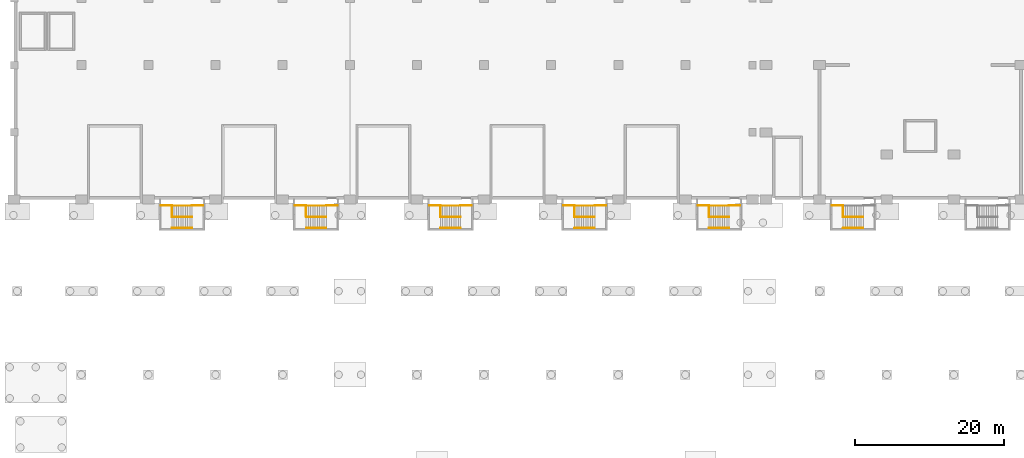
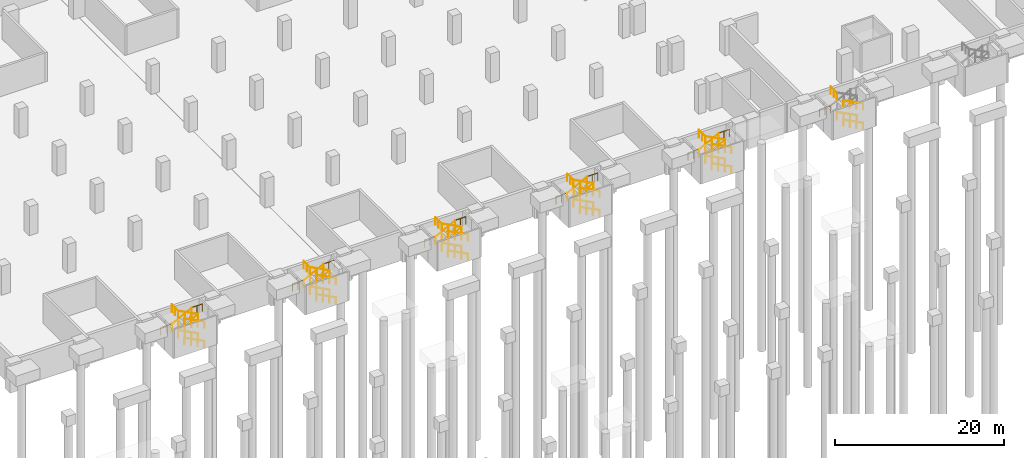
# One storey, part 23 of 27: 50 railings.
"""IFC4 building model written with IfcOpenShell, lengths in metres."""

from ifc_helpers import new_model, si_unit, direction, frame, origin, origin_2d, place, context, subcontext, project, spatial, circle, extrude, material, type_object, element, save


model = new_model("IFC4")

# Units and contexts
model_context = context("Model", 3, precision=1e-05, world=origin(), true_north=direction((0.0, 1.0)))
body_context = subcontext(model_context, "Body", "Model", "MODEL_VIEW")
ifc_project = project(units=[si_unit("LENGTHUNIT", "METRE"), si_unit("AREAUNIT", "SQUARE_METRE"), si_unit("VOLUMEUNIT", "CUBIC_METRE"), si_unit("PLANEANGLEUNIT", "RADIAN"), si_unit("MASSUNIT", "GRAM", prefix="KILO")], contexts=[model_context])

# Site, building, storey
site_placement = place(None, origin())
site = spatial("IfcSite", under=ifc_project, at=site_placement, CompositionType="ELEMENT")
building_placement = place(site_placement, origin())
building = spatial("IfcBuilding", under=site, at=building_placement, Name="Aravalli Gate Trade Fair Centre", CompositionType="ELEMENT")
storey_placement = place(building_placement, frame((0.0, 0.0, -4.199951171875)))
storey = spatial("IfcBuildingStorey", under=building, at=storey_placement, Name="B1", CompositionType="ELEMENT", Elevation=-4.199951171875)

# Railings
ifc_material = material(Name="Steel E350", Category="steel")
railing_type_1 = type_object("IfcRailingType", Name="Basement stair guard 1100", PredefinedType="GUARDRAIL", material=ifc_material)
railing_1_placement = place(storey_placement, frame((29.85009765625, 43.64990234375, 0.0)))
element("IfcRailing", 1, at=railing_1_placement, inside=storey, type_object=railing_type_1, Name="Basement stair S1 guard A B1", PredefinedType="GUARDRAIL", context=body_context, shape_type="SweptSolid", body=[
    extrude(circle(Radius=0.02392578125, at=origin_2d()), frame((0.0, 0.0, 1.076171875), z_axis=(-0.887781257544, 0.0, 0.460265617609), x_axis=(0.0, -1.0, 0.0)), (0.0, 0.0, 1.0), 3.04150390625),
    extrude(circle(Radius=0.02099609375, at=origin_2d()), origin(), (0.0, 0.0, 1.0), 1.052001953125),
    extrude(circle(Radius=0.02099609375, at=origin_2d()), frame((-0.900146484375, 0.0, 0.466552734375)), (0.0, 0.0, 1.0), 1.052001953125),
    extrude(circle(Radius=0.02099609375, at=origin_2d()), frame((-1.800048828125, 0.0, 0.933349609375)), (0.0, 0.0, 1.0), 1.052001953125),
    extrude(circle(Radius=0.02099609375, at=origin_2d()), frame((-2.7001953125, 0.0, 1.39990234375)), (0.0, 0.0, 1.0), 1.052001953125),
])
railing_2_placement = place(storey_placement, frame((27.14990234375, 43.64990234375, 1.39990234375)))
element("IfcRailing", 2, at=railing_2_placement, inside=storey, type_object=railing_type_1, Name="Basement stair S1 guard B B1", PredefinedType="GUARDRAIL", context=body_context, shape_type="SweptSolid", body=[
    extrude(circle(Radius=0.02392578125, at=origin_2d()), frame((0.0, 0.0, 1.076171875), z_axis=(0.887748457143, 0.0, 0.460328878998), x_axis=(0.0, 1.0, 0.0)), (0.0, 0.0, 1.0), 3.04150390625),
    extrude(circle(Radius=0.02099609375, at=origin_2d()), origin(), (0.0, 0.0, 1.0), 1.052001953125),
    extrude(circle(Radius=0.02099609375, at=origin_2d()), frame((0.900146484375, 0.0, 0.466796875)), (0.0, 0.0, 1.0), 1.052001953125),
    extrude(circle(Radius=0.02099609375, at=origin_2d()), frame((1.800048828125, 0.0, 0.933349609375)), (0.0, 0.0, 1.0), 1.052001953125),
    extrude(circle(Radius=0.02099609375, at=origin_2d()), frame((2.7001953125, 0.0, 1.400146484375)), (0.0, 0.0, 1.0), 1.052001953125),
])
railing_3_placement = place(storey_placement, frame((29.85009765625, 43.64990234375, 2.800048828125)))
element("IfcRailing", 3, at=railing_3_placement, inside=storey, type_object=railing_type_1, Name="Basement stair S1 guard C B1", PredefinedType="GUARDRAIL", context=body_context, shape_type="SweptSolid", body=[
    extrude(circle(Radius=0.02392578125, at=origin_2d()), frame((0.0, 0.0, 1.076171875), z_axis=(-0.887781257544, 0.0, 0.460265617609), x_axis=(0.0, -1.0, 0.0)), (0.0, 0.0, 1.0), 3.04150390625),
    extrude(circle(Radius=0.02099609375, at=origin_2d()), origin(), (0.0, 0.0, 1.0), 1.052001953125),
    extrude(circle(Radius=0.02099609375, at=origin_2d()), frame((-0.900146484375, 0.0, 0.466552734375)), (0.0, 0.0, 1.0), 1.052001953125),
    extrude(circle(Radius=0.02099609375, at=origin_2d()), frame((-1.800048828125, 0.0, 0.933349609375)), (0.0, 0.0, 1.0), 1.052001953125),
    extrude(circle(Radius=0.02099609375, at=origin_2d()), frame((-2.7001953125, 0.0, 1.39990234375)), (0.0, 0.0, 1.0), 1.052001953125),
])
railing_4_placement = place(storey_placement, frame((27.14990234375, 45.14990234375, 1.39990234375)))
element("IfcRailing", 4, at=railing_4_placement, inside=storey, type_object=railing_type_1, Name="Basement stair S1 guard B B1", PredefinedType="GUARDRAIL", context=body_context, shape_type="SweptSolid", body=[
    extrude(circle(Radius=0.02392578125, at=origin_2d()), frame((0.0, 0.0, 1.076171875), z_axis=(0.887748457143, 0.0, 0.460328878998), x_axis=(0.0, 1.0, 0.0)), (0.0, 0.0, 1.0), 3.04150390625),
    extrude(circle(Radius=0.02099609375, at=origin_2d()), origin(), (0.0, 0.0, 1.0), 1.052001953125),
    extrude(circle(Radius=0.02099609375, at=origin_2d()), frame((0.900146484375, 0.0, 0.466796875)), (0.0, 0.0, 1.0), 1.052001953125),
    extrude(circle(Radius=0.02099609375, at=origin_2d()), frame((1.800048828125, 0.0, 0.933349609375)), (0.0, 0.0, 1.0), 1.052001953125),
    extrude(circle(Radius=0.02099609375, at=origin_2d()), frame((2.7001953125, 0.0, 1.400146484375)), (0.0, 0.0, 1.0), 1.052001953125),
])
for number, where, name in (
    (5, (27.14990234375, 45.199951171875, 1.39990234375), "Basement stair S1 landing edge guard 1 B1"),
    (6, (31.35009765625, 45.199951171875, 2.800048828125), "Basement stair S1 landing edge guard 2 B1"),
):
    element("IfcRailing", number, at=place(storey_placement, frame(where)), inside=storey, type_object=railing_type_1, Name=name, PredefinedType="GUARDRAIL", context=body_context, shape_type="SweptSolid", body=[
        extrude(circle(Radius=0.02392578125, at=origin_2d()), frame((0.0, 0.0, 1.076171875), z_axis=(-1.0, 0.0, 0.0), x_axis=(0.0, -1.0, 0.0)), (0.0, 0.0, 1.0), 1.5),
        extrude(circle(Radius=0.02099609375, at=origin_2d()), origin(), (0.0, 0.0, 1.0), 1.052001953125),
        extrude(circle(Radius=0.02099609375, at=origin_2d()), frame((-0.75, 0.0, 0.0)), (0.0, 0.0, 1.0), 1.052001953125),
        extrude(circle(Radius=0.02099609375, at=origin_2d()), frame((-1.5, 0.0, 0.0)), (0.0, 0.0, 1.0), 1.052001953125),
    ])
railing_5_placement = place(storey_placement, frame((27.14990234375, 45.14990234375, 4.199951171875)))
element("IfcRailing", 7, at=railing_5_placement, inside=storey, type_object=railing_type_1, Name="Basement stair S1 well guard B1", PredefinedType="GUARDRAIL", context=body_context, shape_type="SweptSolid", body=[
    extrude(circle(Radius=0.02392578125, at=origin_2d()), frame((0.0, 0.0, 1.076171875), z_axis=(0.0, -1.0, 0.0), x_axis=(1.0, 0.0, 0.0)), (0.0, 0.0, 1.0), 1.5),
    extrude(circle(Radius=0.02099609375, at=origin_2d()), origin(), (0.0, 0.0, 1.0), 1.052001953125),
    extrude(circle(Radius=0.02099609375, at=origin_2d()), frame((0.0, -0.75, 0.0)), (0.0, 0.0, 1.0), 1.052001953125),
    extrude(circle(Radius=0.02099609375, at=origin_2d()), frame((0.0, -1.5, 0.0)), (0.0, 0.0, 1.0), 1.052001953125),
])
railing_6_placement = place(storey_placement, frame((47.85009765625, 43.64990234375, 0.0)))
element("IfcRailing", 8, at=railing_6_placement, inside=storey, type_object=railing_type_1, Name="Basement stair S2 guard A B1", PredefinedType="GUARDRAIL", context=body_context, shape_type="SweptSolid", body=[
    extrude(circle(Radius=0.02392578125, at=origin_2d()), frame((0.0, 0.0, 1.076171875), z_axis=(-0.887781257544, 0.0, 0.460265617609), x_axis=(0.0, -1.0, 0.0)), (0.0, 0.0, 1.0), 3.04150390625),
    extrude(circle(Radius=0.02099609375, at=origin_2d()), origin(), (0.0, 0.0, 1.0), 1.052001953125),
    extrude(circle(Radius=0.02099609375, at=origin_2d()), frame((-0.900146484375, 0.0, 0.466552734375)), (0.0, 0.0, 1.0), 1.052001953125),
    extrude(circle(Radius=0.02099609375, at=origin_2d()), frame((-1.800048828125, 0.0, 0.933349609375)), (0.0, 0.0, 1.0), 1.052001953125),
    extrude(circle(Radius=0.02099609375, at=origin_2d()), frame((-2.7001953125, 0.0, 1.39990234375)), (0.0, 0.0, 1.0), 1.052001953125),
])
railing_7_placement = place(storey_placement, frame((45.14990234375, 43.64990234375, 1.39990234375)))
element("IfcRailing", 9, at=railing_7_placement, inside=storey, type_object=railing_type_1, Name="Basement stair S2 guard B B1", PredefinedType="GUARDRAIL", context=body_context, shape_type="SweptSolid", body=[
    extrude(circle(Radius=0.02392578125, at=origin_2d()), frame((0.0, 0.0, 1.076171875), z_axis=(0.887748457143, 0.0, 0.460328878998), x_axis=(0.0, 1.0, 0.0)), (0.0, 0.0, 1.0), 3.04150390625),
    extrude(circle(Radius=0.02099609375, at=origin_2d()), origin(), (0.0, 0.0, 1.0), 1.052001953125),
    extrude(circle(Radius=0.02099609375, at=origin_2d()), frame((0.900146484375, 0.0, 0.466796875)), (0.0, 0.0, 1.0), 1.052001953125),
    extrude(circle(Radius=0.02099609375, at=origin_2d()), frame((1.800048828125, 0.0, 0.933349609375)), (0.0, 0.0, 1.0), 1.052001953125),
    extrude(circle(Radius=0.02099609375, at=origin_2d()), frame((2.7001953125, 0.0, 1.400146484375)), (0.0, 0.0, 1.0), 1.052001953125),
])
railing_8_placement = place(storey_placement, frame((47.85009765625, 43.64990234375, 2.800048828125)))
element("IfcRailing", 10, at=railing_8_placement, inside=storey, type_object=railing_type_1, Name="Basement stair S2 guard C B1", PredefinedType="GUARDRAIL", context=body_context, shape_type="SweptSolid", body=[
    extrude(circle(Radius=0.02392578125, at=origin_2d()), frame((0.0, 0.0, 1.076171875), z_axis=(-0.887781257544, 0.0, 0.460265617609), x_axis=(0.0, -1.0, 0.0)), (0.0, 0.0, 1.0), 3.04150390625),
    extrude(circle(Radius=0.02099609375, at=origin_2d()), origin(), (0.0, 0.0, 1.0), 1.052001953125),
    extrude(circle(Radius=0.02099609375, at=origin_2d()), frame((-0.900146484375, 0.0, 0.466552734375)), (0.0, 0.0, 1.0), 1.052001953125),
    extrude(circle(Radius=0.02099609375, at=origin_2d()), frame((-1.800048828125, 0.0, 0.933349609375)), (0.0, 0.0, 1.0), 1.052001953125),
    extrude(circle(Radius=0.02099609375, at=origin_2d()), frame((-2.7001953125, 0.0, 1.39990234375)), (0.0, 0.0, 1.0), 1.052001953125),
])
railing_9_placement = place(storey_placement, frame((45.14990234375, 45.14990234375, 1.39990234375)))
element("IfcRailing", 11, at=railing_9_placement, inside=storey, type_object=railing_type_1, Name="Basement stair S2 guard B B1", PredefinedType="GUARDRAIL", context=body_context, shape_type="SweptSolid", body=[
    extrude(circle(Radius=0.02392578125, at=origin_2d()), frame((0.0, 0.0, 1.076171875), z_axis=(0.887748457143, 0.0, 0.460328878998), x_axis=(0.0, 1.0, 0.0)), (0.0, 0.0, 1.0), 3.04150390625),
    extrude(circle(Radius=0.02099609375, at=origin_2d()), origin(), (0.0, 0.0, 1.0), 1.052001953125),
    extrude(circle(Radius=0.02099609375, at=origin_2d()), frame((0.900146484375, 0.0, 0.466796875)), (0.0, 0.0, 1.0), 1.052001953125),
    extrude(circle(Radius=0.02099609375, at=origin_2d()), frame((1.800048828125, 0.0, 0.933349609375)), (0.0, 0.0, 1.0), 1.052001953125),
    extrude(circle(Radius=0.02099609375, at=origin_2d()), frame((2.7001953125, 0.0, 1.400146484375)), (0.0, 0.0, 1.0), 1.052001953125),
])
for number, where, name in (
    (12, (45.14990234375, 45.199951171875, 1.39990234375), "Basement stair S2 landing edge guard 1 B1"),
    (13, (49.35009765625, 45.199951171875, 2.800048828125), "Basement stair S2 landing edge guard 2 B1"),
):
    element("IfcRailing", number, at=place(storey_placement, frame(where)), inside=storey, type_object=railing_type_1, Name=name, PredefinedType="GUARDRAIL", context=body_context, shape_type="SweptSolid", body=[
        extrude(circle(Radius=0.02392578125, at=origin_2d()), frame((0.0, 0.0, 1.076171875), z_axis=(-1.0, 0.0, 0.0), x_axis=(0.0, -1.0, 0.0)), (0.0, 0.0, 1.0), 1.5),
        extrude(circle(Radius=0.02099609375, at=origin_2d()), origin(), (0.0, 0.0, 1.0), 1.052001953125),
        extrude(circle(Radius=0.02099609375, at=origin_2d()), frame((-0.75, 0.0, 0.0)), (0.0, 0.0, 1.0), 1.052001953125),
        extrude(circle(Radius=0.02099609375, at=origin_2d()), frame((-1.5, 0.0, 0.0)), (0.0, 0.0, 1.0), 1.052001953125),
    ])
railing_10_placement = place(storey_placement, frame((45.14990234375, 45.14990234375, 4.199951171875)))
element("IfcRailing", 14, at=railing_10_placement, inside=storey, type_object=railing_type_1, Name="Basement stair S2 well guard B1", PredefinedType="GUARDRAIL", context=body_context, shape_type="SweptSolid", body=[
    extrude(circle(Radius=0.02392578125, at=origin_2d()), frame((0.0, 0.0, 1.076171875), z_axis=(0.0, -1.0, 0.0), x_axis=(1.0, 0.0, 0.0)), (0.0, 0.0, 1.0), 1.5),
    extrude(circle(Radius=0.02099609375, at=origin_2d()), origin(), (0.0, 0.0, 1.0), 1.052001953125),
    extrude(circle(Radius=0.02099609375, at=origin_2d()), frame((0.0, -0.75, 0.0)), (0.0, 0.0, 1.0), 1.052001953125),
    extrude(circle(Radius=0.02099609375, at=origin_2d()), frame((0.0, -1.5, 0.0)), (0.0, 0.0, 1.0), 1.052001953125),
])
railing_11_placement = place(storey_placement, frame((65.85009765625, 43.64990234375, 0.0)))
element("IfcRailing", 15, at=railing_11_placement, inside=storey, type_object=railing_type_1, Name="Basement stair S3 guard A B1", PredefinedType="GUARDRAIL", context=body_context, shape_type="SweptSolid", body=[
    extrude(circle(Radius=0.02392578125, at=origin_2d()), frame((0.0, 0.0, 1.076171875), z_axis=(-0.887781257544, 0.0, 0.460265617609), x_axis=(0.0, -1.0, 0.0)), (0.0, 0.0, 1.0), 3.04150390625),
    extrude(circle(Radius=0.02099609375, at=origin_2d()), origin(), (0.0, 0.0, 1.0), 1.052001953125),
    extrude(circle(Radius=0.02099609375, at=origin_2d()), frame((-0.900146484375, 0.0, 0.466552734375)), (0.0, 0.0, 1.0), 1.052001953125),
    extrude(circle(Radius=0.02099609375, at=origin_2d()), frame((-1.800048828125, 0.0, 0.933349609375)), (0.0, 0.0, 1.0), 1.052001953125),
    extrude(circle(Radius=0.02099609375, at=origin_2d()), frame((-2.7001953125, 0.0, 1.39990234375)), (0.0, 0.0, 1.0), 1.052001953125),
])
railing_12_placement = place(storey_placement, frame((63.14990234375, 43.64990234375, 1.39990234375)))
element("IfcRailing", 16, at=railing_12_placement, inside=storey, type_object=railing_type_1, Name="Basement stair S3 guard B B1", PredefinedType="GUARDRAIL", context=body_context, shape_type="SweptSolid", body=[
    extrude(circle(Radius=0.02392578125, at=origin_2d()), frame((0.0, 0.0, 1.076171875), z_axis=(0.887748457143, 0.0, 0.460328878998), x_axis=(0.0, 1.0, 0.0)), (0.0, 0.0, 1.0), 3.04150390625),
    extrude(circle(Radius=0.02099609375, at=origin_2d()), origin(), (0.0, 0.0, 1.0), 1.052001953125),
    extrude(circle(Radius=0.02099609375, at=origin_2d()), frame((0.900146484375, 0.0, 0.466796875)), (0.0, 0.0, 1.0), 1.052001953125),
    extrude(circle(Radius=0.02099609375, at=origin_2d()), frame((1.800048828125, 0.0, 0.933349609375)), (0.0, 0.0, 1.0), 1.052001953125),
    extrude(circle(Radius=0.02099609375, at=origin_2d()), frame((2.7001953125, 0.0, 1.400146484375)), (0.0, 0.0, 1.0), 1.052001953125),
])
railing_13_placement = place(storey_placement, frame((65.85009765625, 43.64990234375, 2.800048828125)))
element("IfcRailing", 17, at=railing_13_placement, inside=storey, type_object=railing_type_1, Name="Basement stair S3 guard C B1", PredefinedType="GUARDRAIL", context=body_context, shape_type="SweptSolid", body=[
    extrude(circle(Radius=0.02392578125, at=origin_2d()), frame((0.0, 0.0, 1.076171875), z_axis=(-0.887781257544, 0.0, 0.460265617609), x_axis=(0.0, -1.0, 0.0)), (0.0, 0.0, 1.0), 3.04150390625),
    extrude(circle(Radius=0.02099609375, at=origin_2d()), origin(), (0.0, 0.0, 1.0), 1.052001953125),
    extrude(circle(Radius=0.02099609375, at=origin_2d()), frame((-0.900146484375, 0.0, 0.466552734375)), (0.0, 0.0, 1.0), 1.052001953125),
    extrude(circle(Radius=0.02099609375, at=origin_2d()), frame((-1.800048828125, 0.0, 0.933349609375)), (0.0, 0.0, 1.0), 1.052001953125),
    extrude(circle(Radius=0.02099609375, at=origin_2d()), frame((-2.7001953125, 0.0, 1.39990234375)), (0.0, 0.0, 1.0), 1.052001953125),
])
railing_14_placement = place(storey_placement, frame((63.14990234375, 45.14990234375, 1.39990234375)))
element("IfcRailing", 18, at=railing_14_placement, inside=storey, type_object=railing_type_1, Name="Basement stair S3 guard B B1", PredefinedType="GUARDRAIL", context=body_context, shape_type="SweptSolid", body=[
    extrude(circle(Radius=0.02392578125, at=origin_2d()), frame((0.0, 0.0, 1.076171875), z_axis=(0.887748457143, 0.0, 0.460328878998), x_axis=(0.0, 1.0, 0.0)), (0.0, 0.0, 1.0), 3.04150390625),
    extrude(circle(Radius=0.02099609375, at=origin_2d()), origin(), (0.0, 0.0, 1.0), 1.052001953125),
    extrude(circle(Radius=0.02099609375, at=origin_2d()), frame((0.900146484375, 0.0, 0.466796875)), (0.0, 0.0, 1.0), 1.052001953125),
    extrude(circle(Radius=0.02099609375, at=origin_2d()), frame((1.800048828125, 0.0, 0.933349609375)), (0.0, 0.0, 1.0), 1.052001953125),
    extrude(circle(Radius=0.02099609375, at=origin_2d()), frame((2.7001953125, 0.0, 1.400146484375)), (0.0, 0.0, 1.0), 1.052001953125),
])
for number, where, name in (
    (19, (63.14990234375, 45.199951171875, 1.39990234375), "Basement stair S3 landing edge guard 1 B1"),
    (20, (67.35009765625, 45.199951171875, 2.800048828125), "Basement stair S3 landing edge guard 2 B1"),
):
    element("IfcRailing", number, at=place(storey_placement, frame(where)), inside=storey, type_object=railing_type_1, Name=name, PredefinedType="GUARDRAIL", context=body_context, shape_type="SweptSolid", body=[
        extrude(circle(Radius=0.02392578125, at=origin_2d()), frame((0.0, 0.0, 1.076171875), z_axis=(-1.0, 0.0, 0.0), x_axis=(0.0, -1.0, 0.0)), (0.0, 0.0, 1.0), 1.5),
        extrude(circle(Radius=0.02099609375, at=origin_2d()), origin(), (0.0, 0.0, 1.0), 1.052001953125),
        extrude(circle(Radius=0.02099609375, at=origin_2d()), frame((-0.75, 0.0, 0.0)), (0.0, 0.0, 1.0), 1.052001953125),
        extrude(circle(Radius=0.02099609375, at=origin_2d()), frame((-1.5, 0.0, 0.0)), (0.0, 0.0, 1.0), 1.052001953125),
    ])
railing_15_placement = place(storey_placement, frame((63.14990234375, 45.14990234375, 4.199951171875)))
element("IfcRailing", 21, at=railing_15_placement, inside=storey, type_object=railing_type_1, Name="Basement stair S3 well guard B1", PredefinedType="GUARDRAIL", context=body_context, shape_type="SweptSolid", body=[
    extrude(circle(Radius=0.02392578125, at=origin_2d()), frame((0.0, 0.0, 1.076171875), z_axis=(0.0, -1.0, 0.0), x_axis=(1.0, 0.0, 0.0)), (0.0, 0.0, 1.0), 1.5),
    extrude(circle(Radius=0.02099609375, at=origin_2d()), origin(), (0.0, 0.0, 1.0), 1.052001953125),
    extrude(circle(Radius=0.02099609375, at=origin_2d()), frame((0.0, -0.75, 0.0)), (0.0, 0.0, 1.0), 1.052001953125),
    extrude(circle(Radius=0.02099609375, at=origin_2d()), frame((0.0, -1.5, 0.0)), (0.0, 0.0, 1.0), 1.052001953125),
])
railing_16_placement = place(storey_placement, frame((83.85009765625, 43.64990234375, 0.0)))
element("IfcRailing", 22, at=railing_16_placement, inside=storey, type_object=railing_type_1, Name="Basement stair S4 guard A B1", PredefinedType="GUARDRAIL", context=body_context, shape_type="SweptSolid", body=[
    extrude(circle(Radius=0.02392578125, at=origin_2d()), frame((0.0, 0.0, 1.076171875), z_axis=(-0.887781257544, 0.0, 0.460265617609), x_axis=(0.0, -1.0, 0.0)), (0.0, 0.0, 1.0), 3.04150390625),
    extrude(circle(Radius=0.02099609375, at=origin_2d()), origin(), (0.0, 0.0, 1.0), 1.052001953125),
    extrude(circle(Radius=0.02099609375, at=origin_2d()), frame((-0.900146484375, 0.0, 0.466552734375)), (0.0, 0.0, 1.0), 1.052001953125),
    extrude(circle(Radius=0.02099609375, at=origin_2d()), frame((-1.800048828125, 0.0, 0.933349609375)), (0.0, 0.0, 1.0), 1.052001953125),
    extrude(circle(Radius=0.02099609375, at=origin_2d()), frame((-2.7001953125, 0.0, 1.39990234375)), (0.0, 0.0, 1.0), 1.052001953125),
])
railing_17_placement = place(storey_placement, frame((81.14990234375, 43.64990234375, 1.39990234375)))
element("IfcRailing", 23, at=railing_17_placement, inside=storey, type_object=railing_type_1, Name="Basement stair S4 guard B B1", PredefinedType="GUARDRAIL", context=body_context, shape_type="SweptSolid", body=[
    extrude(circle(Radius=0.02392578125, at=origin_2d()), frame((0.0, 0.0, 1.076171875), z_axis=(0.887748457143, 0.0, 0.460328878998), x_axis=(0.0, 1.0, 0.0)), (0.0, 0.0, 1.0), 3.04150390625),
    extrude(circle(Radius=0.02099609375, at=origin_2d()), origin(), (0.0, 0.0, 1.0), 1.052001953125),
    extrude(circle(Radius=0.02099609375, at=origin_2d()), frame((0.900146484375, 0.0, 0.466796875)), (0.0, 0.0, 1.0), 1.052001953125),
    extrude(circle(Radius=0.02099609375, at=origin_2d()), frame((1.800048828125, 0.0, 0.933349609375)), (0.0, 0.0, 1.0), 1.052001953125),
    extrude(circle(Radius=0.02099609375, at=origin_2d()), frame((2.7001953125, 0.0, 1.400146484375)), (0.0, 0.0, 1.0), 1.052001953125),
])
railing_18_placement = place(storey_placement, frame((83.85009765625, 43.64990234375, 2.800048828125)))
element("IfcRailing", 24, at=railing_18_placement, inside=storey, type_object=railing_type_1, Name="Basement stair S4 guard C B1", PredefinedType="GUARDRAIL", context=body_context, shape_type="SweptSolid", body=[
    extrude(circle(Radius=0.02392578125, at=origin_2d()), frame((0.0, 0.0, 1.076171875), z_axis=(-0.887781257544, 0.0, 0.460265617609), x_axis=(0.0, -1.0, 0.0)), (0.0, 0.0, 1.0), 3.04150390625),
    extrude(circle(Radius=0.02099609375, at=origin_2d()), origin(), (0.0, 0.0, 1.0), 1.052001953125),
    extrude(circle(Radius=0.02099609375, at=origin_2d()), frame((-0.900146484375, 0.0, 0.466552734375)), (0.0, 0.0, 1.0), 1.052001953125),
    extrude(circle(Radius=0.02099609375, at=origin_2d()), frame((-1.800048828125, 0.0, 0.933349609375)), (0.0, 0.0, 1.0), 1.052001953125),
    extrude(circle(Radius=0.02099609375, at=origin_2d()), frame((-2.7001953125, 0.0, 1.39990234375)), (0.0, 0.0, 1.0), 1.052001953125),
])
railing_19_placement = place(storey_placement, frame((81.14990234375, 45.14990234375, 1.39990234375)))
element("IfcRailing", 25, at=railing_19_placement, inside=storey, type_object=railing_type_1, Name="Basement stair S4 guard B B1", PredefinedType="GUARDRAIL", context=body_context, shape_type="SweptSolid", body=[
    extrude(circle(Radius=0.02392578125, at=origin_2d()), frame((0.0, 0.0, 1.076171875), z_axis=(0.887748457143, 0.0, 0.460328878998), x_axis=(0.0, 1.0, 0.0)), (0.0, 0.0, 1.0), 3.04150390625),
    extrude(circle(Radius=0.02099609375, at=origin_2d()), origin(), (0.0, 0.0, 1.0), 1.052001953125),
    extrude(circle(Radius=0.02099609375, at=origin_2d()), frame((0.900146484375, 0.0, 0.466796875)), (0.0, 0.0, 1.0), 1.052001953125),
    extrude(circle(Radius=0.02099609375, at=origin_2d()), frame((1.800048828125, 0.0, 0.933349609375)), (0.0, 0.0, 1.0), 1.052001953125),
    extrude(circle(Radius=0.02099609375, at=origin_2d()), frame((2.7001953125, 0.0, 1.400146484375)), (0.0, 0.0, 1.0), 1.052001953125),
])
for number, where, name in (
    (26, (81.14990234375, 45.199951171875, 1.39990234375), "Basement stair S4 landing edge guard 1 B1"),
    (27, (85.35009765625, 45.199951171875, 2.800048828125), "Basement stair S4 landing edge guard 2 B1"),
):
    element("IfcRailing", number, at=place(storey_placement, frame(where)), inside=storey, type_object=railing_type_1, Name=name, PredefinedType="GUARDRAIL", context=body_context, shape_type="SweptSolid", body=[
        extrude(circle(Radius=0.02392578125, at=origin_2d()), frame((0.0, 0.0, 1.076171875), z_axis=(-1.0, 0.0, 0.0), x_axis=(0.0, -1.0, 0.0)), (0.0, 0.0, 1.0), 1.5),
        extrude(circle(Radius=0.02099609375, at=origin_2d()), origin(), (0.0, 0.0, 1.0), 1.052001953125),
        extrude(circle(Radius=0.02099609375, at=origin_2d()), frame((-0.75, 0.0, 0.0)), (0.0, 0.0, 1.0), 1.052001953125),
        extrude(circle(Radius=0.02099609375, at=origin_2d()), frame((-1.5, 0.0, 0.0)), (0.0, 0.0, 1.0), 1.052001953125),
    ])
railing_20_placement = place(storey_placement, frame((81.14990234375, 45.14990234375, 4.199951171875)))
element("IfcRailing", 28, at=railing_20_placement, inside=storey, type_object=railing_type_1, Name="Basement stair S4 well guard B1", PredefinedType="GUARDRAIL", context=body_context, shape_type="SweptSolid", body=[
    extrude(circle(Radius=0.02392578125, at=origin_2d()), frame((0.0, 0.0, 1.076171875), z_axis=(0.0, -1.0, 0.0), x_axis=(1.0, 0.0, 0.0)), (0.0, 0.0, 1.0), 1.5),
    extrude(circle(Radius=0.02099609375, at=origin_2d()), origin(), (0.0, 0.0, 1.0), 1.052001953125),
    extrude(circle(Radius=0.02099609375, at=origin_2d()), frame((0.0, -0.75, 0.0)), (0.0, 0.0, 1.0), 1.052001953125),
    extrude(circle(Radius=0.02099609375, at=origin_2d()), frame((0.0, -1.5, 0.0)), (0.0, 0.0, 1.0), 1.052001953125),
])
railing_21_placement = place(storey_placement, frame((101.85009765625, 43.64990234375, 0.0)))
element("IfcRailing", 29, at=railing_21_placement, inside=storey, type_object=railing_type_1, Name="Basement stair S5 guard A B1", PredefinedType="GUARDRAIL", context=body_context, shape_type="SweptSolid", body=[
    extrude(circle(Radius=0.02392578125, at=origin_2d()), frame((0.0, 0.0, 1.076171875), z_axis=(-0.887781257544, 0.0, 0.460265617609), x_axis=(0.0, -1.0, 0.0)), (0.0, 0.0, 1.0), 3.04150390625),
    extrude(circle(Radius=0.02099609375, at=origin_2d()), origin(), (0.0, 0.0, 1.0), 1.052001953125),
    extrude(circle(Radius=0.02099609375, at=origin_2d()), frame((-0.900146484375, 0.0, 0.466552734375)), (0.0, 0.0, 1.0), 1.052001953125),
    extrude(circle(Radius=0.02099609375, at=origin_2d()), frame((-1.800048828125, 0.0, 0.933349609375)), (0.0, 0.0, 1.0), 1.052001953125),
    extrude(circle(Radius=0.02099609375, at=origin_2d()), frame((-2.7001953125, 0.0, 1.39990234375)), (0.0, 0.0, 1.0), 1.052001953125),
])
railing_22_placement = place(storey_placement, frame((99.14990234375, 43.64990234375, 1.39990234375)))
element("IfcRailing", 30, at=railing_22_placement, inside=storey, type_object=railing_type_1, Name="Basement stair S5 guard B B1", PredefinedType="GUARDRAIL", context=body_context, shape_type="SweptSolid", body=[
    extrude(circle(Radius=0.02392578125, at=origin_2d()), frame((0.0, 0.0, 1.076171875), z_axis=(0.887748457143, 0.0, 0.460328878998), x_axis=(0.0, 1.0, 0.0)), (0.0, 0.0, 1.0), 3.04150390625),
    extrude(circle(Radius=0.02099609375, at=origin_2d()), origin(), (0.0, 0.0, 1.0), 1.052001953125),
    extrude(circle(Radius=0.02099609375, at=origin_2d()), frame((0.900146484375, 0.0, 0.466796875)), (0.0, 0.0, 1.0), 1.052001953125),
    extrude(circle(Radius=0.02099609375, at=origin_2d()), frame((1.800048828125, 0.0, 0.933349609375)), (0.0, 0.0, 1.0), 1.052001953125),
    extrude(circle(Radius=0.02099609375, at=origin_2d()), frame((2.7001953125, 0.0, 1.400146484375)), (0.0, 0.0, 1.0), 1.052001953125),
])
railing_23_placement = place(storey_placement, frame((101.85009765625, 43.64990234375, 2.800048828125)))
element("IfcRailing", 31, at=railing_23_placement, inside=storey, type_object=railing_type_1, Name="Basement stair S5 guard C B1", PredefinedType="GUARDRAIL", context=body_context, shape_type="SweptSolid", body=[
    extrude(circle(Radius=0.02392578125, at=origin_2d()), frame((0.0, 0.0, 1.076171875), z_axis=(-0.887781257544, 0.0, 0.460265617609), x_axis=(0.0, -1.0, 0.0)), (0.0, 0.0, 1.0), 3.04150390625),
    extrude(circle(Radius=0.02099609375, at=origin_2d()), origin(), (0.0, 0.0, 1.0), 1.052001953125),
    extrude(circle(Radius=0.02099609375, at=origin_2d()), frame((-0.900146484375, 0.0, 0.466552734375)), (0.0, 0.0, 1.0), 1.052001953125),
    extrude(circle(Radius=0.02099609375, at=origin_2d()), frame((-1.800048828125, 0.0, 0.933349609375)), (0.0, 0.0, 1.0), 1.052001953125),
    extrude(circle(Radius=0.02099609375, at=origin_2d()), frame((-2.7001953125, 0.0, 1.39990234375)), (0.0, 0.0, 1.0), 1.052001953125),
])
railing_24_placement = place(storey_placement, frame((99.14990234375, 45.14990234375, 1.39990234375)))
element("IfcRailing", 32, at=railing_24_placement, inside=storey, type_object=railing_type_1, Name="Basement stair S5 guard B B1", PredefinedType="GUARDRAIL", context=body_context, shape_type="SweptSolid", body=[
    extrude(circle(Radius=0.02392578125, at=origin_2d()), frame((0.0, 0.0, 1.076171875), z_axis=(0.887748457143, 0.0, 0.460328878998), x_axis=(0.0, 1.0, 0.0)), (0.0, 0.0, 1.0), 3.04150390625),
    extrude(circle(Radius=0.02099609375, at=origin_2d()), origin(), (0.0, 0.0, 1.0), 1.052001953125),
    extrude(circle(Radius=0.02099609375, at=origin_2d()), frame((0.900146484375, 0.0, 0.466796875)), (0.0, 0.0, 1.0), 1.052001953125),
    extrude(circle(Radius=0.02099609375, at=origin_2d()), frame((1.800048828125, 0.0, 0.933349609375)), (0.0, 0.0, 1.0), 1.052001953125),
    extrude(circle(Radius=0.02099609375, at=origin_2d()), frame((2.7001953125, 0.0, 1.400146484375)), (0.0, 0.0, 1.0), 1.052001953125),
])
for number, where, name in (
    (33, (99.14990234375, 45.199951171875, 1.39990234375), "Basement stair S5 landing edge guard 1 B1"),
    (34, (103.35009765625, 45.199951171875, 2.800048828125), "Basement stair S5 landing edge guard 2 B1"),
):
    element("IfcRailing", number, at=place(storey_placement, frame(where)), inside=storey, type_object=railing_type_1, Name=name, PredefinedType="GUARDRAIL", context=body_context, shape_type="SweptSolid", body=[
        extrude(circle(Radius=0.02392578125, at=origin_2d()), frame((0.0, 0.0, 1.076171875), z_axis=(-1.0, 0.0, 0.0), x_axis=(0.0, -1.0, 0.0)), (0.0, 0.0, 1.0), 1.5),
        extrude(circle(Radius=0.02099609375, at=origin_2d()), origin(), (0.0, 0.0, 1.0), 1.052001953125),
        extrude(circle(Radius=0.02099609375, at=origin_2d()), frame((-0.75, 0.0, 0.0)), (0.0, 0.0, 1.0), 1.052001953125),
        extrude(circle(Radius=0.02099609375, at=origin_2d()), frame((-1.5, 0.0, 0.0)), (0.0, 0.0, 1.0), 1.052001953125),
    ])
railing_25_placement = place(storey_placement, frame((99.14990234375, 45.14990234375, 4.199951171875)))
element("IfcRailing", 35, at=railing_25_placement, inside=storey, type_object=railing_type_1, Name="Basement stair S5 well guard B1", PredefinedType="GUARDRAIL", context=body_context, shape_type="SweptSolid", body=[
    extrude(circle(Radius=0.02392578125, at=origin_2d()), frame((0.0, 0.0, 1.076171875), z_axis=(0.0, -1.0, 0.0), x_axis=(1.0, 0.0, 0.0)), (0.0, 0.0, 1.0), 1.5),
    extrude(circle(Radius=0.02099609375, at=origin_2d()), origin(), (0.0, 0.0, 1.0), 1.052001953125),
    extrude(circle(Radius=0.02099609375, at=origin_2d()), frame((0.0, -0.75, 0.0)), (0.0, 0.0, 1.0), 1.052001953125),
    extrude(circle(Radius=0.02099609375, at=origin_2d()), frame((0.0, -1.5, 0.0)), (0.0, 0.0, 1.0), 1.052001953125),
])
railing_26_placement = place(storey_placement, frame((119.85009765625, 43.64990234375, 0.0)))
element("IfcRailing", 36, at=railing_26_placement, inside=storey, type_object=railing_type_1, Name="Basement stair S6 guard A B1", PredefinedType="GUARDRAIL", context=body_context, shape_type="SweptSolid", body=[
    extrude(circle(Radius=0.02392578125, at=origin_2d()), frame((0.0, 0.0, 1.076171875), z_axis=(-0.887781257544, 0.0, 0.460265617609), x_axis=(0.0, -1.0, 0.0)), (0.0, 0.0, 1.0), 3.04150390625),
    extrude(circle(Radius=0.02099609375, at=origin_2d()), origin(), (0.0, 0.0, 1.0), 1.052001953125),
    extrude(circle(Radius=0.02099609375, at=origin_2d()), frame((-0.900146484375, 0.0, 0.466552734375)), (0.0, 0.0, 1.0), 1.052001953125),
    extrude(circle(Radius=0.02099609375, at=origin_2d()), frame((-1.800048828125, 0.0, 0.933349609375)), (0.0, 0.0, 1.0), 1.052001953125),
    extrude(circle(Radius=0.02099609375, at=origin_2d()), frame((-2.7001953125, 0.0, 1.39990234375)), (0.0, 0.0, 1.0), 1.052001953125),
])
railing_27_placement = place(storey_placement, frame((117.14990234375, 45.199951171875, 1.39990234375)))
element("IfcRailing", 37, at=railing_27_placement, inside=storey, type_object=railing_type_1, Name="Basement stair S6 landing edge guard 1 B1", PredefinedType="GUARDRAIL", context=body_context, shape_type="SweptSolid", body=[
    extrude(circle(Radius=0.02392578125, at=origin_2d()), frame((0.0, 0.0, 1.076171875), z_axis=(-1.0, 0.0, 0.0), x_axis=(0.0, -1.0, 0.0)), (0.0, 0.0, 1.0), 1.5),
    extrude(circle(Radius=0.02099609375, at=origin_2d()), origin(), (0.0, 0.0, 1.0), 1.052001953125),
    extrude(circle(Radius=0.02099609375, at=origin_2d()), frame((-0.75, 0.0, 0.0)), (0.0, 0.0, 1.0), 1.052001953125),
    extrude(circle(Radius=0.02099609375, at=origin_2d()), frame((-1.5, 0.0, 0.0)), (0.0, 0.0, 1.0), 1.052001953125),
])
railing_28_placement = place(storey_placement, frame((117.14990234375, 45.14990234375, 4.199951171875)))
element("IfcRailing", 38, at=railing_28_placement, inside=storey, type_object=railing_type_1, Name="Basement stair S6 well guard B1", PredefinedType="GUARDRAIL", context=body_context, shape_type="SweptSolid", body=[
    extrude(circle(Radius=0.02392578125, at=origin_2d()), frame((0.0, 0.0, 1.076171875), z_axis=(0.0, -1.0, 0.0), x_axis=(1.0, 0.0, 0.0)), (0.0, 0.0, 1.0), 1.5),
    extrude(circle(Radius=0.02099609375, at=origin_2d()), origin(), (0.0, 0.0, 1.0), 1.052001953125),
    extrude(circle(Radius=0.02099609375, at=origin_2d()), frame((0.0, -0.75, 0.0)), (0.0, 0.0, 1.0), 1.052001953125),
    extrude(circle(Radius=0.02099609375, at=origin_2d()), frame((0.0, -1.5, 0.0)), (0.0, 0.0, 1.0), 1.052001953125),
])
railing_type_2 = type_object("IfcRailingType", Name="Basement stair handrail 900", PredefinedType="HANDRAIL", material=ifc_material)
for number, where, name in (
    (39, (29.85009765625, 42.14990234375, 0.0), "Basement stair S1 handrail A B1"),
    (40, (29.85009765625, 42.14990234375, 2.800048828125), "Basement stair S1 handrail C B1"),
    (41, (47.85009765625, 42.14990234375, 0.0), "Basement stair S2 handrail A B1"),
    (42, (47.85009765625, 42.14990234375, 2.800048828125), "Basement stair S2 handrail C B1"),
    (43, (65.85009765625, 42.14990234375, 0.0), "Basement stair S3 handrail A B1"),
    (44, (65.85009765625, 42.14990234375, 2.800048828125), "Basement stair S3 handrail C B1"),
    (45, (83.85009765625, 42.14990234375, 0.0), "Basement stair S4 handrail A B1"),
    (46, (83.85009765625, 42.14990234375, 2.800048828125), "Basement stair S4 handrail C B1"),
    (47, (101.85009765625, 42.14990234375, 0.0), "Basement stair S5 handrail A B1"),
    (48, (101.85009765625, 42.14990234375, 2.800048828125), "Basement stair S5 handrail C B1"),
    (49, (119.85009765625, 42.14990234375, 0.0), "Basement stair S6 handrail A B1"),
    (50, (119.85009765625, 42.14990234375, 2.800048828125), "Basement stair S6 handrail C B1"),
):
    element("IfcRailing", number, at=place(storey_placement, frame(where)), inside=storey, type_object=railing_type_2, Name=name, PredefinedType="HANDRAIL", context=body_context, shape_type="SweptSolid", body=[
        extrude(circle(Radius=0.02392578125, at=origin_2d()), frame((0.0, 0.0, 0.8759765625), z_axis=(-0.887781257544, 0.0, 0.460265617609), x_axis=(0.0, -1.0, 0.0)), (0.0, 0.0, 1.0), 3.04150390625),
        extrude(circle(Radius=0.02099609375, at=origin_2d()), origin(), (0.0, 0.0, 1.0), 0.851806640625),
        extrude(circle(Radius=0.02099609375, at=origin_2d()), frame((-0.900146484375, 0.0, 0.466552734375)), (0.0, 0.0, 1.0), 0.851806640625),
        extrude(circle(Radius=0.02099609375, at=origin_2d()), frame((-1.800048828125, 0.0, 0.933349609375)), (0.0, 0.0, 1.0), 0.851806640625),
        extrude(circle(Radius=0.02099609375, at=origin_2d()), frame((-2.7001953125, 0.0, 1.39990234375)), (0.0, 0.0, 1.0), 0.851806640625),
    ])

save(model, "model.ifc")
